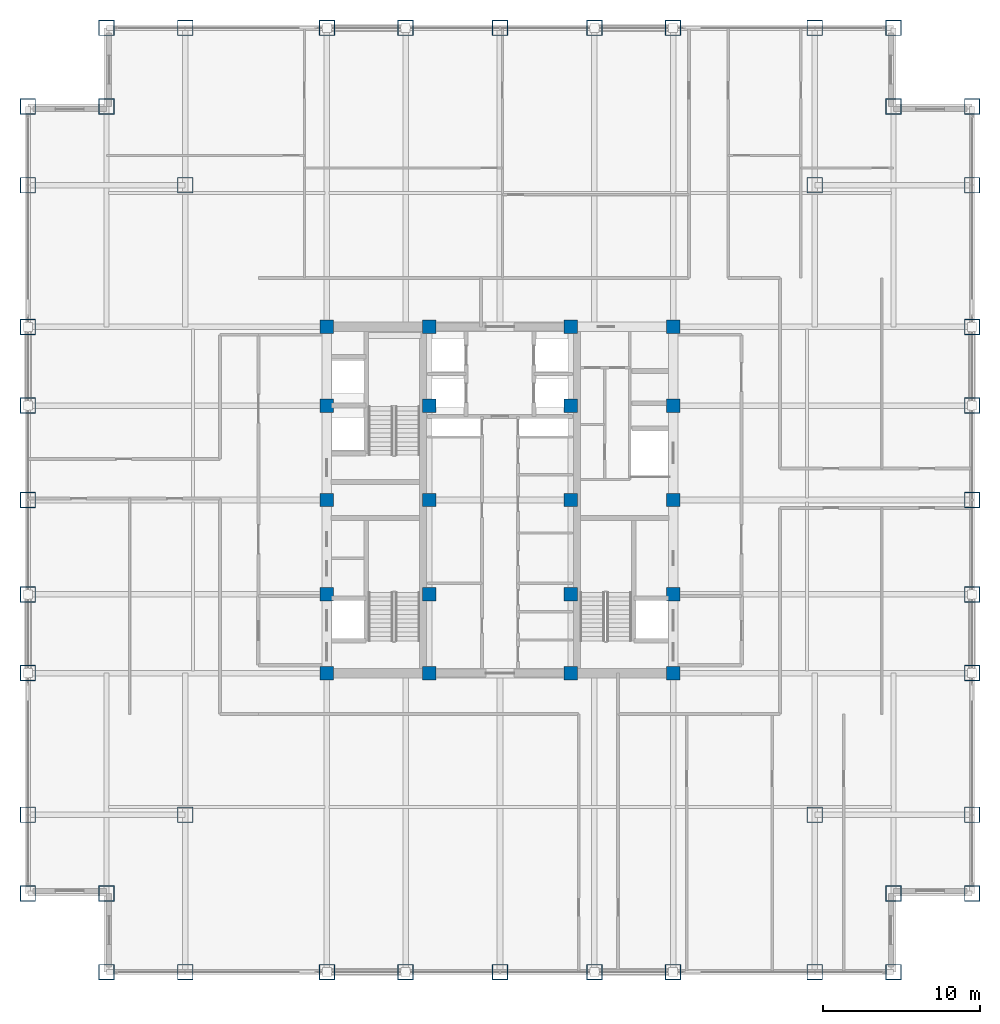
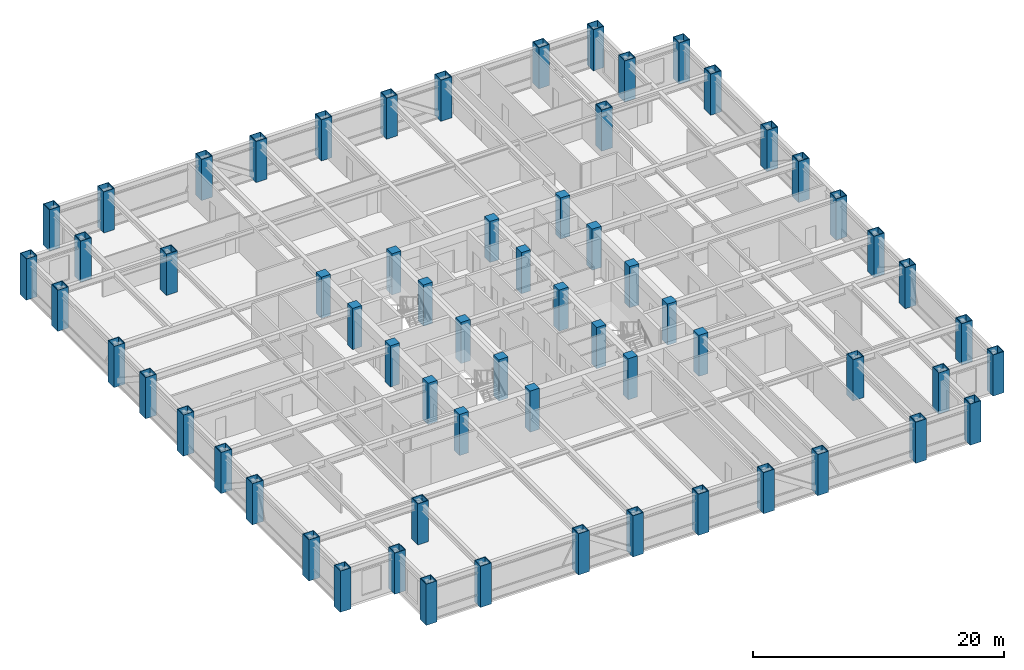
# One storey, part 1 of 25: 64 columns.
"""IFC4 building model written with IfcOpenShell, lengths in metres."""

from ifc_helpers import new_model, si_unit, direction, frame, origin, origin_2d, place, context, subcontext, project, spatial, rectangle, hollow_rectangle, extrude, source, transform, mapped, material, material_profile, profile_set, type_object, element, save


model = new_model("IFC4")

# Units and contexts
model_context = context("Model", 3, precision=1e-05, world=origin(), true_north=direction((0.0, 1.0)))
body_context = subcontext(model_context, "Body", "Model", "MODEL_VIEW")
ifc_project = project(units=[si_unit("LENGTHUNIT", "METRE"), si_unit("AREAUNIT", "SQUARE_METRE"), si_unit("VOLUMEUNIT", "CUBIC_METRE"), si_unit("PLANEANGLEUNIT", "RADIAN"), si_unit("MASSUNIT", "GRAM", prefix="KILO")], contexts=[model_context])

# Site, building, storey
site_placement = place(None, origin())
site = spatial("IfcSite", under=ifc_project, at=site_placement, CompositionType="ELEMENT")
building_placement = place(site_placement, origin())
building = spatial("IfcBuilding", under=site, at=building_placement, Name="Khorayat Bourse Tower", CompositionType="ELEMENT")
storey_placement = place(building_placement, frame((0.0, 0.0, 231.10009765625)))
storey = spatial("IfcBuildingStorey", under=building, at=storey_placement, Name="L54", CompositionType="ELEMENT", Elevation=231.10009765625)

# Columns
ifc_material_1 = material(Name="Concrete C60/75", Category="concrete")
ifc_material_profile_1 = material_profile(ifc_material_1, rectangle(XDim=0.85009765625, YDim=0.85009765625, at=origin_2d()), Name="RC 850x850")
ifc_profile_set_1 = profile_set([ifc_material_profile_1], Name="Concrete C60/75")
column_type_1 = type_object("IfcColumnType", Name="COL-CORE-850", PredefinedType="COLUMN", material=ifc_profile_set_1)
shared_shape_1 = source(origin(), body_context, "Body", "SweptSolid", [
    extrude(rectangle(XDim=0.85009765625, YDim=0.85009765625, at=origin_2d()), origin(), (0.0, 0.0, 1.0), 4.0),
])
for number, where, z_axis, x_axis, name in (
    (1, (-11.0, -11.0, 0.0), (0.0, 0.0, 1.0), (1.0, 0.0, 0.0), "L54 Column 019"),
    (2, (-11.0, -6.0, 0.0), (0.0, 0.0, 1.0), (1.0, 0.0, 0.0), "L54 Column 020"),
    (3, (-11.0, 0.0, 0.0), (0.0, 0.0, 1.0), (1.0, 0.0, 0.0), "L54 Column 021"),
    (4, (-11.0, 6.0, 0.0), (0.0, 0.0, 1.0), (1.0, 0.0, 0.0), "L54 Column 022"),
    (5, (-11.0, 11.0, 0.0), (0.0, 0.0, 1.0), (1.0, 0.0, 0.0), "L54 Column 023"),
    (6, (-4.5, -11.0, 0.0), (0.0, 0.0, 1.0), (1.0, 0.0, 0.0), "L54 Column 027"),
    (7, (-4.5, -6.0, 0.0), (0.0, 0.0, 1.0), (1.0, 0.0, 0.0), "L54 Column 028"),
    (8, (-4.5, 0.0, 0.0), (0.0, 0.0, 1.0), (1.0, 0.0, 0.0), "L54 Column 029"),
    (9, (-4.5, 6.0, 0.0), (0.0, 0.0, 1.0), (1.0, 0.0, 0.0), "L54 Column 030"),
    (10, (-4.5, 11.0, 0.0), (0.0, 0.0, 1.0), (1.0, 0.0, 0.0), "L54 Column 031"),
    (11, (4.5, -11.0, 0.0), (0.0, 0.0, 1.0), (1.0, 0.0, 0.0), "L54 Column 034"),
    (12, (4.5, -6.0, 0.0), (0.0, 0.0, 1.0), (1.0, 0.0, 0.0), "L54 Column 035"),
    (13, (4.5, 0.0, 0.0), (0.0, 0.0, 1.0), (1.0, 0.0, 0.0), "L54 Column 036"),
    (14, (4.5, 6.0, 0.0), (0.0, 0.0, 1.0), (1.0, 0.0, 0.0), "L54 Column 037"),
    (15, (4.5, 11.0, 0.0), (0.0, 0.0, 1.0), (1.0, 0.0, 0.0), "L54 Column 038"),
    (16, (11.0, -11.0, 0.0), (0.0, 0.0, 1.0), (1.0, 0.0, 0.0), "L54 Column 042"),
    (17, (11.0, -6.0, 0.0), (0.0, 0.0, 1.0), (1.0, 0.0, 0.0), "L54 Column 043"),
    (18, (11.0, 0.0, 0.0), (0.0, 0.0, 1.0), (1.0, 0.0, 0.0), "L54 Column 044"),
    (19, (11.0, 6.0, 0.0), (0.0, 0.0, 1.0), (1.0, 0.0, 0.0), "L54 Column 045"),
    (20, (11.0, 11.0, 0.0), (0.0, 0.0, 1.0), (1.0, 0.0, 0.0), "L54 Column 046"),
):
    element("IfcColumn", number, at=place(storey_placement, frame(where, z_axis=z_axis, x_axis=x_axis)), inside=storey, type_object=column_type_1, Name=name, PredefinedType="COLUMN", context=body_context, shape_type="MappedRepresentation", body=[
        mapped(shared_shape_1, transform((0.0, 0.0, 0.0), scale=1.0)),
    ])
ifc_material_2 = material(Name="Steel EN 10025-4 S460M", Category="steel")
ifc_material_profile_2 = material_profile(ifc_material_2, hollow_rectangle(XDim=1.0, YDim=1.0, WallThickness=0.054931640625, at=origin_2d()), Name="BOX 1000x1000x55")
ifc_profile_set_2 = profile_set([ifc_material_profile_2], Name="Steel EN 10025-4 S460M")
column_type_2 = type_object("IfcColumnType", Name="COL-TUBE-1000", PredefinedType="COLUMN", material=ifc_profile_set_2)
shared_shape_2 = source(origin(), body_context, "Body", "SweptSolid", [
    extrude(hollow_rectangle(XDim=1.0, YDim=1.0, WallThickness=0.054931640625, at=origin_2d()), origin(), (0.0, 0.0, 1.0), 4.0),
])
for number, where, z_axis, x_axis, name in (
    (21, (-30.0, -25.0, 0.0), (0.0, 0.0, 1.0), (1.0, 0.0, 0.0), "L54 Column 001"),
    (22, (-30.0, -20.0, 0.0), (0.0, 0.0, 1.0), (1.0, 0.0, 0.0), "L54 Column 002"),
    (23, (-30.0, -11.0, 0.0), (0.0, 0.0, 1.0), (1.0, 0.0, 0.0), "L54 Column 003"),
    (24, (-30.0, -6.0, 0.0), (0.0, 0.0, 1.0), (1.0, 0.0, 0.0), "L54 Column 004"),
    (25, (-30.0, 0.0, 0.0), (0.0, 0.0, 1.0), (1.0, 0.0, 0.0), "L54 Column 005"),
    (26, (-30.0, 6.0, 0.0), (0.0, 0.0, 1.0), (1.0, 0.0, 0.0), "L54 Column 006"),
    (27, (-30.0, 11.0, 0.0), (0.0, 0.0, 1.0), (1.0, 0.0, 0.0), "L54 Column 007"),
    (28, (-30.0, 20.0, 0.0), (0.0, 0.0, 1.0), (1.0, 0.0, 0.0), "L54 Column 008"),
    (29, (-30.0, 25.0, 0.0), (0.0, 0.0, 1.0), (1.0, 0.0, 0.0), "L54 Column 009"),
    (30, (-25.0, -30.0, 0.0), (0.0, 0.0, 1.0), (1.0, 0.0, 0.0), "L54 Column 010"),
    (31, (-25.0, -25.0, 0.0), (0.0, 0.0, 1.0), (1.0, 0.0, 0.0), "L54 Column 011"),
    (32, (-25.0, 25.0, 0.0), (0.0, 0.0, 1.0), (1.0, 0.0, 0.0), "L54 Column 012"),
    (33, (-25.0, 30.0, 0.0), (0.0, 0.0, 1.0), (1.0, 0.0, 0.0), "L54 Column 013"),
    (34, (-20.0, -30.0, 0.0), (0.0, 0.0, 1.0), (1.0, 0.0, 0.0), "L54 Column 014"),
    (35, (-20.0, -20.0, 0.0), (0.0, 0.0, 1.0), (1.0, 0.0, 0.0), "L54 Column 015"),
    (36, (-20.0, 20.0, 0.0), (0.0, 0.0, 1.0), (1.0, 0.0, 0.0), "L54 Column 016"),
    (37, (-20.0, 30.0, 0.0), (0.0, 0.0, 1.0), (1.0, 0.0, 0.0), "L54 Column 017"),
    (38, (-11.0, -30.0, 0.0), (0.0, 0.0, 1.0), (1.0, 0.0, 0.0), "L54 Column 018"),
    (39, (-11.0, 30.0, 0.0), (0.0, 0.0, 1.0), (1.0, 0.0, 0.0), "L54 Column 024"),
    (40, (-6.0, -30.0, 0.0), (0.0, 0.0, 1.0), (1.0, 0.0, 0.0), "L54 Column 025"),
    (41, (-6.0, 30.0, 0.0), (0.0, 0.0, 1.0), (1.0, 0.0, 0.0), "L54 Column 026"),
    (42, (0.0, -30.0, 0.0), (0.0, 0.0, 1.0), (1.0, 0.0, 0.0), "L54 Column 032"),
    (43, (0.0, 30.0, 0.0), (0.0, 0.0, 1.0), (1.0, 0.0, 0.0), "L54 Column 033"),
    (44, (6.0, -30.0, 0.0), (0.0, 0.0, 1.0), (1.0, 0.0, 0.0), "L54 Column 039"),
    (45, (6.0, 30.0, 0.0), (0.0, 0.0, 1.0), (1.0, 0.0, 0.0), "L54 Column 040"),
    (46, (11.0, -30.0, 0.0), (0.0, 0.0, 1.0), (1.0, 0.0, 0.0), "L54 Column 041"),
    (47, (11.0, 30.0, 0.0), (0.0, 0.0, 1.0), (1.0, 0.0, 0.0), "L54 Column 047"),
    (48, (20.0, -30.0, 0.0), (0.0, 0.0, 1.0), (1.0, 0.0, 0.0), "L54 Column 048"),
    (49, (20.0, -20.0, 0.0), (0.0, 0.0, 1.0), (1.0, 0.0, 0.0), "L54 Column 049"),
    (50, (20.0, 20.0, 0.0), (0.0, 0.0, 1.0), (1.0, 0.0, 0.0), "L54 Column 050"),
    (51, (20.0, 30.0, 0.0), (0.0, 0.0, 1.0), (1.0, 0.0, 0.0), "L54 Column 051"),
    (52, (25.0, -30.0, 0.0), (0.0, 0.0, 1.0), (1.0, 0.0, 0.0), "L54 Column 052"),
    (53, (25.0, -25.0, 0.0), (0.0, 0.0, 1.0), (1.0, 0.0, 0.0), "L54 Column 053"),
    (54, (25.0, 25.0, 0.0), (0.0, 0.0, 1.0), (1.0, 0.0, 0.0), "L54 Column 054"),
    (55, (25.0, 30.0, 0.0), (0.0, 0.0, 1.0), (1.0, 0.0, 0.0), "L54 Column 055"),
    (56, (30.0, -25.0, 0.0), (0.0, 0.0, 1.0), (1.0, 0.0, 0.0), "L54 Column 056"),
    (57, (30.0, -20.0, 0.0), (0.0, 0.0, 1.0), (1.0, 0.0, 0.0), "L54 Column 057"),
    (58, (30.0, -11.0, 0.0), (0.0, 0.0, 1.0), (1.0, 0.0, 0.0), "L54 Column 058"),
    (59, (30.0, -6.0, 0.0), (0.0, 0.0, 1.0), (1.0, 0.0, 0.0), "L54 Column 059"),
    (60, (30.0, 0.0, 0.0), (0.0, 0.0, 1.0), (1.0, 0.0, 0.0), "L54 Column 060"),
    (61, (30.0, 6.0, 0.0), (0.0, 0.0, 1.0), (1.0, 0.0, 0.0), "L54 Column 061"),
    (62, (30.0, 11.0, 0.0), (0.0, 0.0, 1.0), (1.0, 0.0, 0.0), "L54 Column 062"),
    (63, (30.0, 20.0, 0.0), (0.0, 0.0, 1.0), (1.0, 0.0, 0.0), "L54 Column 063"),
    (64, (30.0, 25.0, 0.0), (0.0, 0.0, 1.0), (1.0, 0.0, 0.0), "L54 Column 064"),
):
    element("IfcColumn", number, at=place(storey_placement, frame(where, z_axis=z_axis, x_axis=x_axis)), inside=storey, type_object=column_type_2, Name=name, PredefinedType="COLUMN", context=body_context, shape_type="MappedRepresentation", body=[
        mapped(shared_shape_2, transform((0.0, 0.0, 0.0), scale=1.0)),
    ])

save(model, "model.ifc")
